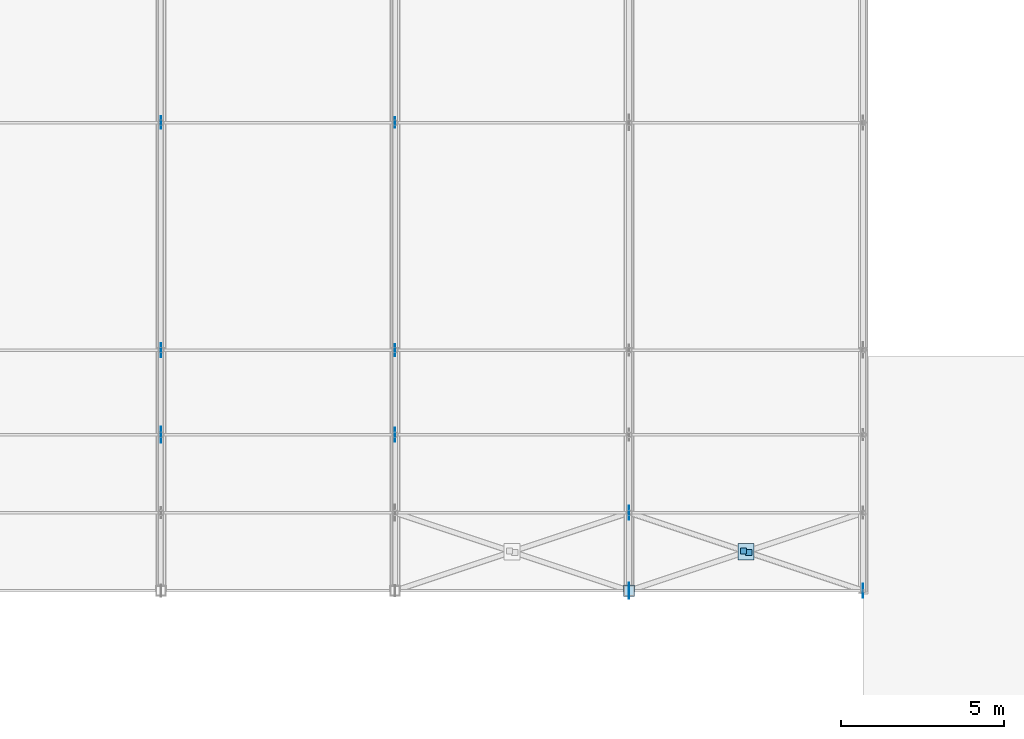
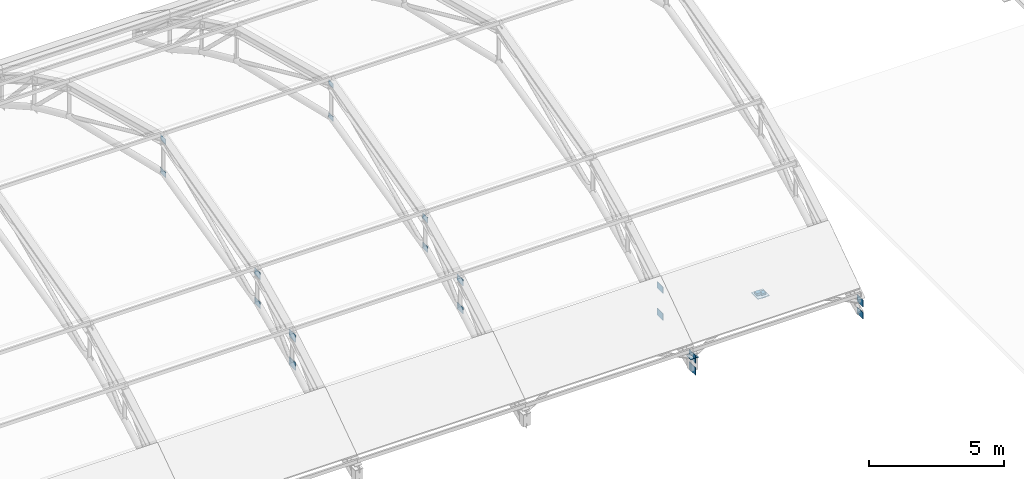
# One storey, part 40 of 63: 22 plates.
"""IFC4 building model written with IfcOpenShell, lengths in metres."""

from ifc_helpers import new_model, si_unit, direction, frame, origin, origin_2d, place, context, subcontext, project, spatial, rectangle, extrude, material, layer, layer_set, type_object, element, save


model = new_model("IFC4")

# Units and contexts
model_context = context("Model", 3, precision=1e-05, world=origin(), true_north=direction((0.0, 1.0)))
body_context = subcontext(model_context, "Body", "Model", "MODEL_VIEW")
ifc_project = project(units=[si_unit("LENGTHUNIT", "METRE"), si_unit("AREAUNIT", "SQUARE_METRE"), si_unit("VOLUMEUNIT", "CUBIC_METRE"), si_unit("PLANEANGLEUNIT", "RADIAN"), si_unit("MASSUNIT", "GRAM", prefix="KILO")], contexts=[model_context])

# Site, building, storey
site_placement = place(None, origin())
site = spatial("IfcSite", under=ifc_project, at=site_placement, CompositionType="ELEMENT")
building_placement = place(site_placement, origin())
building = spatial("IfcBuilding", under=site, at=building_placement, Name="Solvadek Multi-Sports Hall", CompositionType="ELEMENT")
storey_placement = place(building_placement, frame((0.0, 0.0, 19.199951171875)))
storey = spatial("IfcBuildingStorey", under=building, at=storey_placement, Name="RF", CompositionType="ELEMENT", Elevation=19.199951171875)

# Plates
ifc_material = material(Name="Steel E350 (350 MPa)", Category="steel")
ifc_layer_1 = layer(ifc_material, 0.01611328125, Name="Steel E350 (350 MPa)")
ifc_layer_set_1 = layer_set([ifc_layer_1], Name="Steel E350 (350 MPa)")
plate_type_1 = type_object("IfcPlateType", Name="STR-PLT-CAP16", PredefinedType="USERDEFINED", material=ifc_layer_set_1)
for number, where, z_axis, x_axis, name in (
    (1, (53.91845703125, 50.42724609375, -3.50341796875), (0.0, 0.0, 1.0), (1.0, 0.0, 0.0), "V4 Half-Brace End Cap #57"),
    (2, (54.08154296875, 50.372802734375, -3.541015625), (0.0, 0.0, 1.0), (1.0, 0.0, 0.0), "V4 Half-Brace End Cap #58"),
):
    element("IfcPlate", number, at=place(storey_placement, frame(where, z_axis=z_axis, x_axis=x_axis)), inside=storey, type_object=plate_type_1, Name=name, ObjectType="BASE_PLATE", PredefinedType="USERDEFINED", context=body_context, shape_type="SweptSolid", body=[
        extrude(rectangle(XDim=0.18994140625, YDim=0.18994140625, at=origin_2d()), origin(), (0.0, 0.0, 1.0), 0.2099609375),
    ])
ifc_layer_2 = layer(ifc_material, 0.02001953125, Name="Steel E350 (350 MPa)")
ifc_layer_set_2 = layer_set([ifc_layer_2], Name="Steel E350 (350 MPa)")
plate_type_2 = type_object("IfcPlateType", Name="STR-PLT-CAP340", PredefinedType="USERDEFINED", material=ifc_layer_set_2)
plate_1_placement = place(storey_placement, frame((50.39990234375, 49.199951171875, -4.25), z_axis=(0.0, 0.0, 1.0), x_axis=(1.0, 0.0, 0.0)))
element("IfcPlate", 3, at=plate_1_placement, inside=storey, type_object=plate_type_2, Name="v4 Bearing Post Cap #5.0", ObjectType="BASE_PLATE", PredefinedType="USERDEFINED", context=body_context, shape_type="SweptSolid", body=[
    extrude(rectangle(XDim=0.340087890625, YDim=0.340087890625, at=origin_2d()), origin(), (0.0, 0.0, 1.0), 0.02001953125),
])
ifc_layer_3 = layer(ifc_material, 0.02001953125, Name="Steel E350 (350 MPa)")
ifc_layer_set_3 = layer_set([ifc_layer_3], Name="Steel E350 (350 MPa)")
plate_type_3 = type_object("IfcPlateType", Name="STR-PLT-GP20", PredefinedType="USERDEFINED", material=ifc_layer_set_3)
plate_2_placement = place(storey_placement, frame((54.0, 50.39990234375, -3.42724609375), z_axis=(0.0, 0.0, 1.0), x_axis=(1.0, 0.0, 0.0)))
element("IfcPlate", 4, at=plate_2_placement, inside=storey, type_object=plate_type_3, Name="V4 Roof X-Brace Crossing Gusset #263", ObjectType="GUSSET_PLATE", PredefinedType="USERDEFINED", context=body_context, shape_type="SweptSolid", body=[
    extrude(rectangle(XDim=0.5, YDim=0.5, at=origin_2d()), origin(), (0.0, 0.0, 1.0), 0.02001953125),
])
ifc_layer_4 = layer(ifc_material, 0.013916015625, Name="Steel E350 (350 MPa)")
ifc_layer_set_4 = layer_set([ifc_layer_4], Name="Steel E350 (350 MPa)")
plate_type_4 = type_object("IfcPlateType", Name="STR-PLT-GUS330", PredefinedType="USERDEFINED", material=ifc_layer_set_4)
for number, where, z_axis, x_axis, name in (
    (5, (43.199951171875, 63.60009765625, 1.7900390625), (0.0, 0.0, 1.0), (0.0, 1.0, 0.0), "V4 Truss Top Gusset Plate #213"),
    (6, (43.199951171875, 63.60009765625, 0.2900390625), (0.0, 0.0, 1.0), (0.0, 1.0, 0.0), "V4 Truss Bottom Gusset Plate #214"),
):
    element("IfcPlate", number, at=place(storey_placement, frame(where, z_axis=z_axis, x_axis=x_axis)), inside=storey, type_object=plate_type_4, Name=name, ObjectType="GUSSET_PLATE", PredefinedType="USERDEFINED", context=body_context, shape_type="SweptSolid", body=[
        extrude(rectangle(XDim=0.330078125, YDim=0.013916015625, at=origin_2d()), origin(), (0.0, 0.0, 1.0), 0.219970703125),
    ])
ifc_layer_5 = layer(ifc_material, 0.01611328125, Name="Steel E350 (350 MPa)")
ifc_layer_set_5 = layer_set([ifc_layer_5], Name="Steel E350 (350 MPa)")
plate_type_5 = type_object("IfcPlateType", Name="STR-PLT-GUS380", PredefinedType="USERDEFINED", material=ifc_layer_set_5)
for number, where, z_axis, x_axis, name in (
    (7, (36.0, 63.60009765625, 1.77001953125), (0.0, 0.0, 1.0), (0.0, 1.0, 0.0), "V4 Truss Top Gusset Plate #195"),
    (8, (36.0, 63.60009765625, 0.27001953125), (0.0, 0.0, 1.0), (0.0, 1.0, 0.0), "V4 Truss Bottom Gusset Plate #196"),
    (9, (43.199951171875, 56.60009765625, -0.0673828125), (0.0, 0.0, 1.0), (0.0, 1.0, 0.0), "V4 Truss Top Gusset Plate #211"),
    (10, (43.199951171875, 56.60009765625, -1.39697265625), (0.0, 0.0, 1.0), (0.0, 1.0, 0.0), "V4 Truss Bottom Gusset Plate #212"),
):
    element("IfcPlate", number, at=place(storey_placement, frame(where, z_axis=z_axis, x_axis=x_axis)), inside=storey, type_object=plate_type_5, Name=name, ObjectType="GUSSET_PLATE", PredefinedType="USERDEFINED", context=body_context, shape_type="SweptSolid", body=[
        extrude(rectangle(XDim=0.3798828125, YDim=0.01611328125, at=origin_2d()), origin(), (0.0, 0.0, 1.0), 0.260009765625),
    ])
ifc_layer_6 = layer(ifc_material, 0.01806640625, Name="Steel E350 (350 MPa)")
ifc_layer_set_6 = layer_set([ifc_layer_6], Name="Steel E350 (350 MPa)")
plate_type_6 = type_object("IfcPlateType", Name="STR-PLT-GUS430", PredefinedType="USERDEFINED", material=ifc_layer_set_6)
for number, where, z_axis, x_axis, name in (
    (11, (36.0, 56.60009765625, -0.08740234375), (0.0, 0.0, 1.0), (0.0, 1.0, 0.0), "V4 Truss Top Gusset Plate #193"),
    (12, (36.0, 56.60009765625, -1.4169921875), (0.0, 0.0, 1.0), (0.0, 1.0, 0.0), "V4 Truss Bottom Gusset Plate #194"),
    (13, (43.199951171875, 54.0, -1.3251953125), (0.0, 0.0, 1.0), (0.0, 1.0, 0.0), "V4 Truss Top Gusset Plate #209"),
    (14, (43.199951171875, 54.0, -2.591796875), (0.0, 0.0, 1.0), (0.0, 1.0, 0.0), "V4 Truss Bottom Gusset Plate #210"),
    (15, (50.39990234375, 51.60009765625, -2.734375), (0.0, 0.0, 1.0), (0.0, 1.0, 0.0), "V4 Truss Top Gusset Plate #225"),
    (16, (50.39990234375, 51.60009765625, -3.94287109375), (0.0, 0.0, 1.0), (0.0, 1.0, 0.0), "V4 Truss Bottom Gusset Plate #226"),
    (17, (57.60009765625, 49.199951171875, -4.39990234375), (0.0, 0.0, 1.0), (0.0, 1.0, 0.0), "V4 Truss Top Gusset Plate #241"),
    (18, (57.60009765625, 49.199951171875, -4.9501953125), (0.0, 0.0, 1.0), (0.0, 1.0, 0.0), "V4 Truss Bottom Gusset Plate #242"),
):
    element("IfcPlate", number, at=place(storey_placement, frame(where, z_axis=z_axis, x_axis=x_axis)), inside=storey, type_object=plate_type_6, Name=name, ObjectType="GUSSET_PLATE", PredefinedType="USERDEFINED", context=body_context, shape_type="SweptSolid", body=[
        extrude(rectangle(XDim=0.429931640625, YDim=0.01806640625, at=origin_2d()), origin(), (0.0, 0.0, 1.0), 0.300048828125),
    ])
ifc_layer_7 = layer(ifc_material, 0.02001953125, Name="Steel E350 (350 MPa)")
ifc_layer_set_7 = layer_set([ifc_layer_7], Name="Steel E350 (350 MPa)")
plate_type_7 = type_object("IfcPlateType", Name="STR-PLT-GUS480", PredefinedType="USERDEFINED", material=ifc_layer_set_7)
for number, where, z_axis, x_axis, name in (
    (19, (36.0, 54.0, -1.34521484375), (0.0, 0.0, 1.0), (0.0, 1.0, 0.0), "V4 Truss Top Gusset Plate #191"),
    (20, (36.0, 54.0, -2.61181640625), (0.0, 0.0, 1.0), (0.0, 1.0, 0.0), "V4 Truss Bottom Gusset Plate #192"),
    (21, (50.39990234375, 49.199951171875, -4.419921875), (0.0, 0.0, 1.0), (0.0, 1.0, 0.0), "V4 Truss Top Gusset Plate #223"),
    (22, (50.39990234375, 49.199951171875, -4.97021484375), (0.0, 0.0, 1.0), (0.0, 1.0, 0.0), "V4 Truss Bottom Gusset Plate #224"),
):
    element("IfcPlate", number, at=place(storey_placement, frame(where, z_axis=z_axis, x_axis=x_axis)), inside=storey, type_object=plate_type_7, Name=name, ObjectType="GUSSET_PLATE", PredefinedType="USERDEFINED", context=body_context, shape_type="SweptSolid", body=[
        extrude(rectangle(XDim=0.47998046875, YDim=0.02001953125, at=origin_2d()), origin(), (0.0, 0.0, 1.0), 0.340087890625),
    ])

save(model, "model.ifc")
